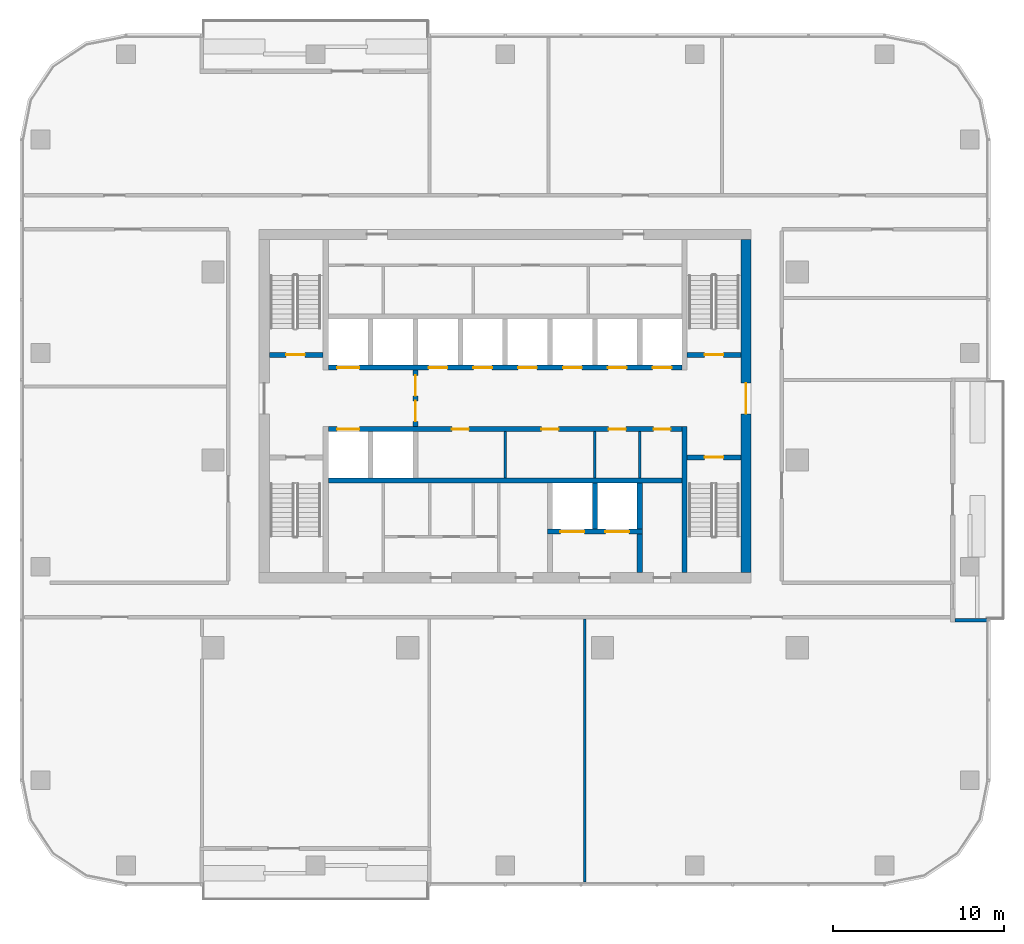
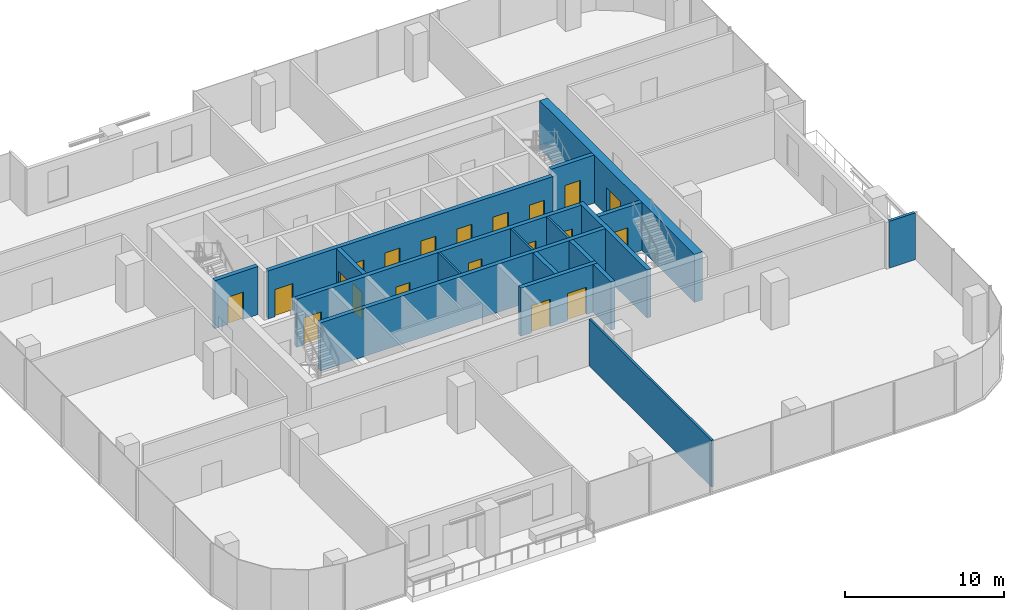
# One storey, part 8 of 14: 20 doors, 18 walls, 20 openings.
"""IFC4 building model written with IfcOpenShell, lengths in metres."""

from ifc_helpers import new_model, si_unit, direction, frame, frame_2d, origin, place, context, subcontext, project, spatial, rectangle, extrude, material, layer, layer_set, type_object, element, fill, save


model = new_model("IFC4")

# Units and contexts
model_context = context("Model", 3, precision=1e-05, world=origin(), true_north=direction((0.0, 1.0)))
body_context = subcontext(model_context, "Body", "Model", "MODEL_VIEW")
ifc_project = project(units=[si_unit("LENGTHUNIT", "METRE"), si_unit("AREAUNIT", "SQUARE_METRE"), si_unit("VOLUMEUNIT", "CUBIC_METRE"), si_unit("PLANEANGLEUNIT", "RADIAN"), si_unit("MASSUNIT", "GRAM", prefix="KILO")], contexts=[model_context])

# Site, building, storey
site_placement = place(None, origin())
site = spatial("IfcSite", under=ifc_project, at=site_placement, CompositionType="ELEMENT")
building_placement = place(site_placement, origin())
building = spatial("IfcBuilding", under=site, at=building_placement, Name="Mopane Tessera Tower", CompositionType="ELEMENT")
storey_placement = place(building_placement, frame((0.0, 0.0, 215.0)))
storey = spatial("IfcBuildingStorey", under=building, at=storey_placement, Name="L45", CompositionType="ELEMENT", Elevation=215.0)

# Walls
ifc_material_1 = material(Name="Fire-rated gypsum board partition")
ifc_layer_1 = layer(ifc_material_1, 0.14990234375)
ifc_layer_set_1 = layer_set([ifc_layer_1], Name="Fire-rated gypsum board partition")
wall_type_1 = type_object("IfcWallType", Name="Core room partition 150 mm", PredefinedType="PARTITIONING", material=ifc_layer_set_1)
for number, where, z_axis, x_axis, name in (
    (1, (0.0, -1.050048828125, 0.0), (0.0, 0.0, 1.0), (0.0, 1.0, 0.0), "L45 Room partition"),
    (2, (5.25, -1.050048828125, 0.0), (0.0, 0.0, 1.0), (0.0, 1.0, 0.0), "L45 Room partition"),
    (3, (7.875, -1.050048828125, 0.0), (0.0, 0.0, 1.0), (0.0, 1.0, 0.0), "L45 Room partition"),
):
    element("IfcWall", number, at=place(storey_placement, frame(where, z_axis=z_axis, x_axis=x_axis)), inside=storey, type_object=wall_type_1, Name=name, PredefinedType="PARTITIONING", context=body_context, shape_type="SweptSolid", body=[
        extrude(rectangle(XDim=2.699951171875, YDim=0.14990234375, at=frame_2d((1.35009765625, 0.0))), origin(), (0.0, 0.0, 1.0), 3.699951171875),
    ])

# Wall, opening, door
ifc_material_2 = material(Name="Concrete C70/85", Category="concrete")
ifc_layer_2 = layer(ifc_material_2, 0.60009765625)
ifc_layer_set_2 = layer_set([ifc_layer_2], Name="Concrete C70/85")
wall_type_2 = type_object("IfcWallType", Name="Core shear wall 600 mm", PredefinedType="SHEAR", material=ifc_layer_set_2)
wall_1_placement = place(storey_placement, frame((14.10009765625, -6.60009765625, 0.0), z_axis=(0.0, 0.0, 1.0), x_axis=(0.0, 1.0, 0.0)))
wall_1 = element("IfcWall", 4, at=wall_1_placement, inside=storey, type_object=wall_type_2, Name="L45 Core wall east", PredefinedType="SHEAR", context=body_context, shape_type="SweptSolid", body=[
    extrude(rectangle(XDim=19.5, YDim=0.60009765625, at=frame_2d((9.75, 0.0))), origin(), (0.0, 0.0, 1.0), 3.699951171875),
])
opening_1_placement = place(wall_1_placement, frame((9.300048828125, 0.0, 0.0)))
opening_1 = element("IfcOpeningElement", 5, at=opening_1_placement, cuts=wall_1, Name="Opening SD2", PredefinedType="OPENING", context=body_context, shape_type="SweptSolid", body=[
    extrude(rectangle(XDim=1.800048828125, YDim=2.10009765625, at=frame_2d((0.89990234375, 1.050048828125))), frame((0.0, 0.31201171875, 0.0), z_axis=(0.0, -1.0, 0.0), x_axis=(1.0, 0.0, 0.0)), (0.0, 0.0, 1.0), 0.6240234375),
])
ifc_material_3 = material(Name="Steel fire door", Category="steel")
door_type_1 = type_object("IfcDoorType", Name="Core entrance double door 1800 x 2100", OperationType="DOUBLE_DOOR_SINGLE_SWING", PredefinedType="DOOR", material=ifc_material_3)
door_1_placement = place(opening_1_placement, origin())
door_1 = element("IfcDoor", 6, at=door_1_placement, inside=storey, type_object=door_type_1, Name="L45 Core entrance door east", OperationType="DOUBLE_DOOR_SINGLE_SWING", OverallHeight=2.10009765625, OverallWidth=1.800048828125, PredefinedType="DOOR", context=body_context, shape_type="SweptSolid", body=[
    extrude(rectangle(XDim=1.800048828125, YDim=2.10009765625, at=frame_2d((0.89990234375, 1.050048828125))), frame((0.0, 0.02490234375, 0.0), z_axis=(0.0, -1.0, 0.0), x_axis=(1.0, 0.0, 0.0)), (0.0, 0.0, 1.0), 0.050048828125),
])
fill(opening_1, door_1)

# Walls
ifc_material_4 = material(Name="Concrete C60/75", Category="concrete")
ifc_layer_3 = layer(ifc_material_4, 0.300048828125)
ifc_layer_set_3 = layer_set([ifc_layer_3], Name="Concrete C60/75")
wall_type_3 = type_object("IfcWallType", Name="Core spine wall 300 mm", PredefinedType="SHEAR", material=ifc_layer_set_3)
wall_2_placement = place(storey_placement, frame((10.5, -6.60009765625, 0.0), z_axis=(0.0, 0.0, 1.0), x_axis=(0.0, 1.0, 0.0)))
element("IfcWall", 7, at=wall_2_placement, inside=storey, type_object=wall_type_3, Name="L45 Core spine wall", PredefinedType="SHEAR", context=body_context, shape_type="SweptSolid", body=[
    extrude(rectangle(XDim=8.550048828125, YDim=0.300048828125, at=frame_2d((4.27490234375, 0.0))), origin(), (0.0, 0.0, 1.0), 3.699951171875),
])
ifc_material_5 = material(Name="Gypsum board on steel studs, mineral wool infill", Category="steel")
ifc_layer_4 = layer(ifc_material_5, 0.14990234375)
ifc_layer_set_4 = layer_set([ifc_layer_4], Name="Gypsum board on steel studs, mineral wool infill")
wall_type_4 = type_object("IfcWallType", Name="Gypsum board partition 150, rated EI 60", PredefinedType="PARTITIONING", material=ifc_layer_set_4)
wall_3_placement = place(storey_placement, frame((4.659912109375, -24.699951171875, 0.0), z_axis=(0.0, 0.0, 1.0), x_axis=(0.0, 1.0, 0.0)))
element("IfcWall", 8, at=wall_3_placement, inside=storey, type_object=wall_type_4, Name="Partition L45:016", PredefinedType="PARTITIONING", context=body_context, shape_type="SweptSolid", body=[
    extrude(rectangle(XDim=15.39990234375, YDim=0.14990234375, at=frame_2d((7.699951171875, 0.0))), origin(), (0.0, 0.0, 1.0), 3.60009765625),
])

# Wall, opening, door
ifc_material_6 = material(Name="Concrete C50/60", Category="concrete")
ifc_layer_5 = layer(ifc_material_6, 0.300048828125)
ifc_layer_set_5 = layer_set([ifc_layer_5], Name="Concrete C50/60")
wall_type_5 = type_object("IfcWallType", Name="Lift and stair shaft wall 300 mm", PredefinedType="SOLIDWALL", material=ifc_layer_set_5)
wall_4_placement = place(storey_placement, frame((-13.800048828125, 6.14990234375, 0.0), z_axis=(0.0, 0.0, 1.0), x_axis=(1.0, 0.0, 0.0)))
wall_4 = element("IfcWall", 9, at=wall_4_placement, inside=storey, type_object=wall_type_5, Name="L45 Stair enclosure wall", PredefinedType="SOLIDWALL", context=body_context, shape_type="SweptSolid", body=[
    extrude(rectangle(XDim=3.150146484375, YDim=0.300048828125, at=frame_2d((1.5751953125, 0.0))), origin(), (0.0, 0.0, 1.0), 3.699951171875),
])
opening_2_placement = place(wall_4_placement, frame((0.97509765625, 0.0, 0.0)))
opening_2 = element("IfcOpeningElement", 10, at=opening_2_placement, cuts=wall_4, Name="Opening SD1", PredefinedType="OPENING", context=body_context, shape_type="SweptSolid", body=[
    extrude(rectangle(XDim=1.10009765625, YDim=2.10009765625, at=frame_2d((0.550048828125, 1.050048828125))), frame((0.0, 0.162109375, 0.0), z_axis=(0.0, -1.0, 0.0), x_axis=(1.0, 0.0, 0.0)), (0.0, 0.0, 1.0), 0.323974609375),
])
ifc_material_7 = material(Name="Steel fire door", Category="steel")
door_type_2 = type_object("IfcDoorType", Name="Stair fire door 1100 x 2100", OperationType="SINGLE_SWING_LEFT", PredefinedType="DOOR", material=ifc_material_7)
door_2_placement = place(opening_2_placement, origin())
door_2 = element("IfcDoor", 11, at=door_2_placement, inside=storey, type_object=door_type_2, Name="L45 Stair door ST2", OperationType="SINGLE_SWING_LEFT", OverallHeight=2.10009765625, OverallWidth=1.10009765625, PredefinedType="DOOR", context=body_context, shape_type="SweptSolid", body=[
    extrude(rectangle(XDim=1.10009765625, YDim=2.10009765625, at=frame_2d((0.550048828125, 1.050048828125))), frame((0.0, 0.02490234375, 0.0), z_axis=(0.0, -1.0, 0.0), x_axis=(1.0, 0.0, 0.0)), (0.0, 0.0, 1.0), 0.050048828125),
])
fill(opening_2, door_2)

wall_5_placement = place(storey_placement, frame((10.64990234375, 0.14990234375, 0.0), z_axis=(0.0, 0.0, 1.0), x_axis=(1.0, 0.0, 0.0)))
wall_5 = element("IfcWall", 12, at=wall_5_placement, inside=storey, type_object=wall_type_5, Name="L45 Stair enclosure wall", PredefinedType="SOLIDWALL", context=body_context, shape_type="SweptSolid", body=[
    extrude(rectangle(XDim=3.150146484375, YDim=0.300048828125, at=frame_2d((1.5751953125, 0.0))), origin(), (0.0, 0.0, 1.0), 3.699951171875),
])
opening_3_placement = place(wall_5_placement, frame((1.02490234375, 0.0, 0.0)))
opening_3 = element("IfcOpeningElement", 13, at=opening_3_placement, cuts=wall_5, Name="Opening SD1", PredefinedType="OPENING", context=body_context, shape_type="SweptSolid", body=[
    extrude(rectangle(XDim=1.10009765625, YDim=2.10009765625, at=frame_2d((0.550048828125, 1.050048828125))), frame((0.0, 0.162109375, 0.0), z_axis=(0.0, -1.0, 0.0), x_axis=(1.0, 0.0, 0.0)), (0.0, 0.0, 1.0), 0.323974609375),
])
door_3_placement = place(opening_3_placement, origin())
door_3 = element("IfcDoor", 14, at=door_3_placement, inside=storey, type_object=door_type_2, Name="L45 Stair door ST3", OperationType="SINGLE_SWING_RIGHT", OverallHeight=2.10009765625, OverallWidth=1.10009765625, PredefinedType="DOOR", context=body_context, shape_type="SweptSolid", body=[
    extrude(rectangle(XDim=1.10009765625, YDim=2.10009765625, at=frame_2d((0.550048828125, 1.050048828125))), frame((0.0, 0.02490234375, 0.0), z_axis=(0.0, -1.0, 0.0), x_axis=(1.0, 0.0, 0.0)), (0.0, 0.0, 1.0), 0.050048828125),
])
fill(opening_3, door_3)

wall_6_placement = place(storey_placement, frame((10.64990234375, 6.14990234375, 0.0), z_axis=(0.0, 0.0, 1.0), x_axis=(1.0, 0.0, 0.0)))
wall_6 = element("IfcWall", 15, at=wall_6_placement, inside=storey, type_object=wall_type_5, Name="L45 Stair enclosure wall", PredefinedType="SOLIDWALL", context=body_context, shape_type="SweptSolid", body=[
    extrude(rectangle(XDim=3.150146484375, YDim=0.300048828125, at=frame_2d((1.5751953125, 0.0))), origin(), (0.0, 0.0, 1.0), 3.699951171875),
])
opening_4_placement = place(wall_6_placement, frame((1.02490234375, 0.0, 0.0)))
opening_4 = element("IfcOpeningElement", 16, at=opening_4_placement, cuts=wall_6, Name="Opening SD1", PredefinedType="OPENING", context=body_context, shape_type="SweptSolid", body=[
    extrude(rectangle(XDim=1.10009765625, YDim=2.10009765625, at=frame_2d((0.550048828125, 1.050048828125))), frame((0.0, 0.162109375, 0.0), z_axis=(0.0, -1.0, 0.0), x_axis=(1.0, 0.0, 0.0)), (0.0, 0.0, 1.0), 0.323974609375),
])
door_4_placement = place(opening_4_placement, origin())
door_4 = element("IfcDoor", 17, at=door_4_placement, inside=storey, type_object=door_type_2, Name="L45 Stair door ST4", OperationType="SINGLE_SWING_RIGHT", OverallHeight=2.10009765625, OverallWidth=1.10009765625, PredefinedType="DOOR", context=body_context, shape_type="SweptSolid", body=[
    extrude(rectangle(XDim=1.10009765625, YDim=2.10009765625, at=frame_2d((0.550048828125, 1.050048828125))), frame((0.0, 0.02490234375, 0.0), z_axis=(0.0, -1.0, 0.0), x_axis=(1.0, 0.0, 0.0)), (0.0, 0.0, 1.0), 0.050048828125),
])
fill(opening_4, door_4)

# Wall
wall_7_placement = place(storey_placement, frame((-10.35009765625, -1.199951171875, 0.0), z_axis=(0.0, 0.0, 1.0), x_axis=(1.0, 0.0, 0.0)))
element("IfcWall", 18, at=wall_7_placement, inside=storey, type_object=wall_type_5, Name="L45 Lift shaft rear wall", PredefinedType="SOLIDWALL", context=body_context, shape_type="SweptSolid", body=[
    extrude(rectangle(XDim=20.7001953125, YDim=0.300048828125, at=frame_2d((10.35009765625, 0.0))), origin(), (0.0, 0.0, 1.0), 3.699951171875),
])

# Wall, openings, doors
wall_8_placement = place(storey_placement, frame((-10.35009765625, 1.800048828125, 0.0), z_axis=(0.0, 0.0, 1.0), x_axis=(1.0, 0.0, 0.0)))
wall_8 = element("IfcWall", 19, at=wall_8_placement, inside=storey, type_object=wall_type_5, Name="L45 Lift shaft front wall", PredefinedType="SOLIDWALL", context=body_context, shape_type="SweptSolid", body=[
    extrude(rectangle(XDim=20.7001953125, YDim=0.300048828125, at=frame_2d((10.35009765625, 0.0))), origin(), (0.0, 0.0, 1.0), 3.699951171875),
])
opening_5_placement = place(wall_8_placement, frame((0.512451171875, 0.0, 0.0)))
opening_5 = element("IfcOpeningElement", 20, at=opening_5_placement, cuts=wall_8, Name="Opening LD2", PredefinedType="OPENING", context=body_context, shape_type="SweptSolid", body=[
    extrude(rectangle(XDim=1.300048828125, YDim=2.10009765625, at=frame_2d((0.64990234375, 1.050048828125))), frame((0.0, 0.162109375, 0.0), z_axis=(0.0, -1.0, 0.0), x_axis=(1.0, 0.0, 0.0)), (0.0, 0.0, 1.0), 0.323974609375),
])
opening_6_placement = place(wall_8_placement, frame((7.22509765625, 0.0, 0.0)))
opening_6 = element("IfcOpeningElement", 21, at=opening_6_placement, cuts=wall_8, Name="Opening RD1", PredefinedType="OPENING", context=body_context, shape_type="SweptSolid", body=[
    extrude(rectangle(XDim=1.0, YDim=2.10009765625, at=frame_2d((0.5, 1.050048828125))), frame((0.0, 0.162109375, 0.0), z_axis=(0.0, -1.0, 0.0), x_axis=(1.0, 0.0, 0.0)), (0.0, 0.0, 1.0), 0.323974609375),
])
opening_7_placement = place(wall_8_placement, frame((12.47509765625, 0.0, 0.0)))
opening_7 = element("IfcOpeningElement", 22, at=opening_7_placement, cuts=wall_8, Name="Opening RD1", PredefinedType="OPENING", context=body_context, shape_type="SweptSolid", body=[
    extrude(rectangle(XDim=1.0, YDim=2.10009765625, at=frame_2d((0.5, 1.050048828125))), frame((0.0, 0.162109375, 0.0), z_axis=(0.0, -1.0, 0.0), x_axis=(1.0, 0.0, 0.0)), (0.0, 0.0, 1.0), 0.323974609375),
])
opening_8_placement = place(wall_8_placement, frame((16.41259765625, 0.0, 0.0)))
opening_8 = element("IfcOpeningElement", 23, at=opening_8_placement, cuts=wall_8, Name="Opening RD1", PredefinedType="OPENING", context=body_context, shape_type="SweptSolid", body=[
    extrude(rectangle(XDim=1.0, YDim=2.10009765625, at=frame_2d((0.5, 1.050048828125))), frame((0.0, 0.162109375, 0.0), z_axis=(0.0, -1.0, 0.0), x_axis=(1.0, 0.0, 0.0)), (0.0, 0.0, 1.0), 0.323974609375),
])
opening_9_placement = place(wall_8_placement, frame((19.03759765625, 0.0, 0.0)))
opening_9 = element("IfcOpeningElement", 24, at=opening_9_placement, cuts=wall_8, Name="Opening RD1", PredefinedType="OPENING", context=body_context, shape_type="SweptSolid", body=[
    extrude(rectangle(XDim=1.0, YDim=2.10009765625, at=frame_2d((0.5, 1.050048828125))), frame((0.0, 0.162109375, 0.0), z_axis=(0.0, -1.0, 0.0), x_axis=(1.0, 0.0, 0.0)), (0.0, 0.0, 1.0), 0.323974609375),
])
ifc_material_8 = material(Name="Timber door", Category="wood")
door_type_3 = type_object("IfcDoorType", Name="Core room door 1000 x 2100", OperationType="SINGLE_SWING_LEFT", PredefinedType="DOOR", material=ifc_material_8)
door_5_placement = place(opening_6_placement, origin())
door_5 = element("IfcDoor", 25, at=door_5_placement, inside=storey, type_object=door_type_3, Name="L45 Room door", OperationType="SINGLE_SWING_LEFT", OverallHeight=2.10009765625, OverallWidth=1.0, PredefinedType="DOOR", context=body_context, shape_type="SweptSolid", body=[
    extrude(rectangle(XDim=1.0, YDim=2.10009765625, at=frame_2d((0.5, 1.050048828125))), frame((0.0, 0.02490234375, 0.0), z_axis=(0.0, -1.0, 0.0), x_axis=(1.0, 0.0, 0.0)), (0.0, 0.0, 1.0), 0.050048828125),
])
fill(opening_6, door_5)
door_6_placement = place(opening_7_placement, origin())
door_6 = element("IfcDoor", 26, at=door_6_placement, inside=storey, type_object=door_type_3, Name="L45 Room door", OperationType="SINGLE_SWING_LEFT", OverallHeight=2.10009765625, OverallWidth=1.0, PredefinedType="DOOR", context=body_context, shape_type="SweptSolid", body=[
    extrude(rectangle(XDim=1.0, YDim=2.10009765625, at=frame_2d((0.5, 1.050048828125))), frame((0.0, 0.02490234375, 0.0), z_axis=(0.0, -1.0, 0.0), x_axis=(1.0, 0.0, 0.0)), (0.0, 0.0, 1.0), 0.050048828125),
])
fill(opening_7, door_6)
door_7_placement = place(opening_8_placement, origin())
door_7 = element("IfcDoor", 27, at=door_7_placement, inside=storey, type_object=door_type_3, Name="L45 Room door", OperationType="SINGLE_SWING_LEFT", OverallHeight=2.10009765625, OverallWidth=1.0, PredefinedType="DOOR", context=body_context, shape_type="SweptSolid", body=[
    extrude(rectangle(XDim=1.0, YDim=2.10009765625, at=frame_2d((0.5, 1.050048828125))), frame((0.0, 0.02490234375, 0.0), z_axis=(0.0, -1.0, 0.0), x_axis=(1.0, 0.0, 0.0)), (0.0, 0.0, 1.0), 0.050048828125),
])
fill(opening_8, door_7)
door_8_placement = place(opening_9_placement, origin())
door_8 = element("IfcDoor", 28, at=door_8_placement, inside=storey, type_object=door_type_3, Name="L45 Room door", OperationType="SINGLE_SWING_LEFT", OverallHeight=2.10009765625, OverallWidth=1.0, PredefinedType="DOOR", context=body_context, shape_type="SweptSolid", body=[
    extrude(rectangle(XDim=1.0, YDim=2.10009765625, at=frame_2d((0.5, 1.050048828125))), frame((0.0, 0.02490234375, 0.0), z_axis=(0.0, -1.0, 0.0), x_axis=(1.0, 0.0, 0.0)), (0.0, 0.0, 1.0), 0.050048828125),
])
fill(opening_9, door_8)
ifc_material_9 = material(Name="Stainless steel sliding door", Category="steel")
door_type_4 = type_object("IfcDoorType", Name="Fire-fighting lift landing door 1300 x 2100", OperationType="DOUBLE_DOOR_SLIDING", PredefinedType="DOOR", material=ifc_material_9)
door_9_placement = place(opening_5_placement, origin())
door_9 = element("IfcDoor", 29, at=door_9_placement, inside=storey, type_object=door_type_4, Name="L45 Lift landing door FF1", OperationType="DOUBLE_DOOR_SLIDING", OverallHeight=2.10009765625, OverallWidth=1.300048828125, PredefinedType="DOOR", context=body_context, shape_type="SweptSolid", body=[
    extrude(rectangle(XDim=1.300048828125, YDim=2.10009765625, at=frame_2d((0.64990234375, 1.050048828125))), frame((0.0, 0.02490234375, 0.0), z_axis=(0.0, -1.0, 0.0), x_axis=(1.0, 0.0, 0.0)), (0.0, 0.0, 1.0), 0.050048828125),
])
fill(opening_5, door_9)

wall_9_placement = place(storey_placement, frame((-10.35009765625, 5.39990234375, 0.0), z_axis=(0.0, 0.0, 1.0), x_axis=(1.0, 0.0, 0.0)))
wall_9 = element("IfcWall", 30, at=wall_9_placement, inside=storey, type_object=wall_type_5, Name="L45 Lift shaft front wall", PredefinedType="SOLIDWALL", context=body_context, shape_type="SweptSolid", body=[
    extrude(rectangle(XDim=20.7001953125, YDim=0.300048828125, at=frame_2d((10.35009765625, 0.0))), origin(), (0.0, 0.0, 1.0), 3.699951171875),
])
opening_10_placement = place(wall_9_placement, frame((0.512451171875, 0.0, 0.0)))
opening_10 = element("IfcOpeningElement", 31, at=opening_10_placement, cuts=wall_9, Name="Opening LD2", PredefinedType="OPENING", context=body_context, shape_type="SweptSolid", body=[
    extrude(rectangle(XDim=1.300048828125, YDim=2.10009765625, at=frame_2d((0.64990234375, 1.050048828125))), frame((0.0, 0.162109375, 0.0), z_axis=(0.0, -1.0, 0.0), x_axis=(1.0, 0.0, 0.0)), (0.0, 0.0, 1.0), 0.323974609375),
])
opening_11_placement = place(wall_9_placement, frame((5.862548828125, 0.0, 0.0)))
opening_11 = element("IfcOpeningElement", 32, at=opening_11_placement, cuts=wall_9, Name="Opening LD", PredefinedType="OPENING", context=body_context, shape_type="SweptSolid", body=[
    extrude(rectangle(XDim=1.10009765625, YDim=2.10009765625, at=frame_2d((0.550048828125, 1.050048828125))), frame((0.0, 0.162109375, 0.0), z_axis=(0.0, -1.0, 0.0), x_axis=(1.0, 0.0, 0.0)), (0.0, 0.0, 1.0), 0.323974609375),
])
opening_12_placement = place(wall_9_placement, frame((8.487548828125, 0.0, 0.0)))
opening_12 = element("IfcOpeningElement", 33, at=opening_12_placement, cuts=wall_9, Name="Opening LD", PredefinedType="OPENING", context=body_context, shape_type="SweptSolid", body=[
    extrude(rectangle(XDim=1.10009765625, YDim=2.10009765625, at=frame_2d((0.550048828125, 1.050048828125))), frame((0.0, 0.162109375, 0.0), z_axis=(0.0, -1.0, 0.0), x_axis=(1.0, 0.0, 0.0)), (0.0, 0.0, 1.0), 0.323974609375),
])
opening_13_placement = place(wall_9_placement, frame((11.112548828125, 0.0, 0.0)))
opening_13 = element("IfcOpeningElement", 34, at=opening_13_placement, cuts=wall_9, Name="Opening LD", PredefinedType="OPENING", context=body_context, shape_type="SweptSolid", body=[
    extrude(rectangle(XDim=1.10009765625, YDim=2.10009765625, at=frame_2d((0.550048828125, 1.050048828125))), frame((0.0, 0.162109375, 0.0), z_axis=(0.0, -1.0, 0.0), x_axis=(1.0, 0.0, 0.0)), (0.0, 0.0, 1.0), 0.323974609375),
])
opening_14_placement = place(wall_9_placement, frame((13.737548828125, 0.0, 0.0)))
opening_14 = element("IfcOpeningElement", 35, at=opening_14_placement, cuts=wall_9, Name="Opening LD", PredefinedType="OPENING", context=body_context, shape_type="SweptSolid", body=[
    extrude(rectangle(XDim=1.10009765625, YDim=2.10009765625, at=frame_2d((0.550048828125, 1.050048828125))), frame((0.0, 0.162109375, 0.0), z_axis=(0.0, -1.0, 0.0), x_axis=(1.0, 0.0, 0.0)), (0.0, 0.0, 1.0), 0.323974609375),
])
opening_15_placement = place(wall_9_placement, frame((16.362548828125, 0.0, 0.0)))
opening_15 = element("IfcOpeningElement", 36, at=opening_15_placement, cuts=wall_9, Name="Opening LD", PredefinedType="OPENING", context=body_context, shape_type="SweptSolid", body=[
    extrude(rectangle(XDim=1.10009765625, YDim=2.10009765625, at=frame_2d((0.550048828125, 1.050048828125))), frame((0.0, 0.162109375, 0.0), z_axis=(0.0, -1.0, 0.0), x_axis=(1.0, 0.0, 0.0)), (0.0, 0.0, 1.0), 0.323974609375),
])
opening_16_placement = place(wall_9_placement, frame((18.987548828125, 0.0, 0.0)))
opening_16 = element("IfcOpeningElement", 37, at=opening_16_placement, cuts=wall_9, Name="Opening LD", PredefinedType="OPENING", context=body_context, shape_type="SweptSolid", body=[
    extrude(rectangle(XDim=1.10009765625, YDim=2.10009765625, at=frame_2d((0.550048828125, 1.050048828125))), frame((0.0, 0.162109375, 0.0), z_axis=(0.0, -1.0, 0.0), x_axis=(1.0, 0.0, 0.0)), (0.0, 0.0, 1.0), 0.323974609375),
])
door_10_placement = place(opening_10_placement, origin())
door_10 = element("IfcDoor", 38, at=door_10_placement, inside=storey, type_object=door_type_4, Name="L45 Lift landing door FF2", OperationType="DOUBLE_DOOR_SLIDING", OverallHeight=2.10009765625, OverallWidth=1.300048828125, PredefinedType="DOOR", context=body_context, shape_type="SweptSolid", body=[
    extrude(rectangle(XDim=1.300048828125, YDim=2.10009765625, at=frame_2d((0.64990234375, 1.050048828125))), frame((0.0, 0.02490234375, 0.0), z_axis=(0.0, -1.0, 0.0), x_axis=(1.0, 0.0, 0.0)), (0.0, 0.0, 1.0), 0.050048828125),
])
fill(opening_10, door_10)
ifc_material_10 = material(Name="Stainless steel sliding door", Category="steel")
door_type_5 = type_object("IfcDoorType", Name="Lift landing door 1100 x 2100", OperationType="DOUBLE_DOOR_SLIDING", PredefinedType="DOOR", material=ifc_material_10)
door_11_placement = place(opening_11_placement, origin())
door_11 = element("IfcDoor", 39, at=door_11_placement, inside=storey, type_object=door_type_5, Name="L45 Lift landing door HR1", OperationType="DOUBLE_DOOR_SLIDING", OverallHeight=2.10009765625, OverallWidth=1.10009765625, PredefinedType="DOOR", context=body_context, shape_type="SweptSolid", body=[
    extrude(rectangle(XDim=1.10009765625, YDim=2.10009765625, at=frame_2d((0.550048828125, 1.050048828125))), frame((0.0, 0.02490234375, 0.0), z_axis=(0.0, -1.0, 0.0), x_axis=(1.0, 0.0, 0.0)), (0.0, 0.0, 1.0), 0.050048828125),
])
fill(opening_11, door_11)
door_12_placement = place(opening_12_placement, origin())
door_12 = element("IfcDoor", 40, at=door_12_placement, inside=storey, type_object=door_type_5, Name="L45 Lift landing door HR2", OperationType="DOUBLE_DOOR_SLIDING", OverallHeight=2.10009765625, OverallWidth=1.10009765625, PredefinedType="DOOR", context=body_context, shape_type="SweptSolid", body=[
    extrude(rectangle(XDim=1.10009765625, YDim=2.10009765625, at=frame_2d((0.550048828125, 1.050048828125))), frame((0.0, 0.02490234375, 0.0), z_axis=(0.0, -1.0, 0.0), x_axis=(1.0, 0.0, 0.0)), (0.0, 0.0, 1.0), 0.050048828125),
])
fill(opening_12, door_12)
door_13_placement = place(opening_13_placement, origin())
door_13 = element("IfcDoor", 41, at=door_13_placement, inside=storey, type_object=door_type_5, Name="L45 Lift landing door HR3", OperationType="DOUBLE_DOOR_SLIDING", OverallHeight=2.10009765625, OverallWidth=1.10009765625, PredefinedType="DOOR", context=body_context, shape_type="SweptSolid", body=[
    extrude(rectangle(XDim=1.10009765625, YDim=2.10009765625, at=frame_2d((0.550048828125, 1.050048828125))), frame((0.0, 0.02490234375, 0.0), z_axis=(0.0, -1.0, 0.0), x_axis=(1.0, 0.0, 0.0)), (0.0, 0.0, 1.0), 0.050048828125),
])
fill(opening_13, door_13)
door_14_placement = place(opening_14_placement, origin())
door_14 = element("IfcDoor", 42, at=door_14_placement, inside=storey, type_object=door_type_5, Name="L45 Lift landing door HR4", OperationType="DOUBLE_DOOR_SLIDING", OverallHeight=2.10009765625, OverallWidth=1.10009765625, PredefinedType="DOOR", context=body_context, shape_type="SweptSolid", body=[
    extrude(rectangle(XDim=1.10009765625, YDim=2.10009765625, at=frame_2d((0.550048828125, 1.050048828125))), frame((0.0, 0.02490234375, 0.0), z_axis=(0.0, -1.0, 0.0), x_axis=(1.0, 0.0, 0.0)), (0.0, 0.0, 1.0), 0.050048828125),
])
fill(opening_14, door_14)
door_15_placement = place(opening_15_placement, origin())
door_15 = element("IfcDoor", 43, at=door_15_placement, inside=storey, type_object=door_type_5, Name="L45 Lift landing door HR5", OperationType="DOUBLE_DOOR_SLIDING", OverallHeight=2.10009765625, OverallWidth=1.10009765625, PredefinedType="DOOR", context=body_context, shape_type="SweptSolid", body=[
    extrude(rectangle(XDim=1.10009765625, YDim=2.10009765625, at=frame_2d((0.550048828125, 1.050048828125))), frame((0.0, 0.02490234375, 0.0), z_axis=(0.0, -1.0, 0.0), x_axis=(1.0, 0.0, 0.0)), (0.0, 0.0, 1.0), 0.050048828125),
])
fill(opening_15, door_15)
door_16_placement = place(opening_16_placement, origin())
door_16 = element("IfcDoor", 44, at=door_16_placement, inside=storey, type_object=door_type_5, Name="L45 Lift landing door HR6", OperationType="DOUBLE_DOOR_SLIDING", OverallHeight=2.10009765625, OverallWidth=1.10009765625, PredefinedType="DOOR", context=body_context, shape_type="SweptSolid", body=[
    extrude(rectangle(XDim=1.10009765625, YDim=2.10009765625, at=frame_2d((0.550048828125, 1.050048828125))), frame((0.0, 0.02490234375, 0.0), z_axis=(0.0, -1.0, 0.0), x_axis=(1.0, 0.0, 0.0)), (0.0, 0.0, 1.0), 0.050048828125),
])
fill(opening_16, door_16)

wall_10_placement = place(storey_placement, frame((2.47509765625, -4.199951171875, 0.0), z_axis=(0.0, 0.0, 1.0), x_axis=(1.0, 0.0, 0.0)))
wall_10 = element("IfcWall", 45, at=wall_10_placement, inside=storey, type_object=wall_type_5, Name="L45 Lift shaft front wall", PredefinedType="SOLIDWALL", context=body_context, shape_type="SweptSolid", body=[
    extrude(rectangle(XDim=5.5498046875, YDim=0.300048828125, at=frame_2d((2.77490234375, 0.0))), origin(), (0.0, 0.0, 1.0), 3.699951171875),
])
opening_17_placement = place(wall_10_placement, frame((0.762451171875, 0.0, 0.0)))
opening_17 = element("IfcOpeningElement", 46, at=opening_17_placement, cuts=wall_10, Name="Opening LD3", PredefinedType="OPENING", context=body_context, shape_type="SweptSolid", body=[
    extrude(rectangle(XDim=1.39990234375, YDim=2.10009765625, at=frame_2d((0.699951171875, 1.050048828125))), frame((0.0, 0.162109375, 0.0), z_axis=(0.0, -1.0, 0.0), x_axis=(1.0, 0.0, 0.0)), (0.0, 0.0, 1.0), 0.323974609375),
])
opening_18_placement = place(wall_10_placement, frame((3.387451171875, 0.0, 0.0)))
opening_18 = element("IfcOpeningElement", 47, at=opening_18_placement, cuts=wall_10, Name="Opening LD3", PredefinedType="OPENING", context=body_context, shape_type="SweptSolid", body=[
    extrude(rectangle(XDim=1.39990234375, YDim=2.10009765625, at=frame_2d((0.699951171875, 1.050048828125))), frame((0.0, 0.162109375, 0.0), z_axis=(0.0, -1.0, 0.0), x_axis=(1.0, 0.0, 0.0)), (0.0, 0.0, 1.0), 0.323974609375),
])
ifc_material_11 = material(Name="Stainless steel sliding door", Category="steel")
door_type_6 = type_object("IfcDoorType", Name="Service lift landing door 1400 x 2100", OperationType="DOUBLE_DOOR_SLIDING", PredefinedType="DOOR", material=ifc_material_11)
door_17_placement = place(opening_17_placement, origin())
door_17 = element("IfcDoor", 48, at=door_17_placement, inside=storey, type_object=door_type_6, Name="L45 Lift landing door SV1", OperationType="DOUBLE_DOOR_SLIDING", OverallHeight=2.10009765625, OverallWidth=1.39990234375, PredefinedType="DOOR", context=body_context, shape_type="SweptSolid", body=[
    extrude(rectangle(XDim=1.39990234375, YDim=2.10009765625, at=frame_2d((0.699951171875, 1.050048828125))), frame((0.0, 0.02490234375, 0.0), z_axis=(0.0, -1.0, 0.0), x_axis=(1.0, 0.0, 0.0)), (0.0, 0.0, 1.0), 0.050048828125),
])
fill(opening_17, door_17)
door_18_placement = place(opening_18_placement, origin())
door_18 = element("IfcDoor", 49, at=door_18_placement, inside=storey, type_object=door_type_6, Name="L45 Lift landing door SV2", OperationType="DOUBLE_DOOR_SLIDING", OverallHeight=2.10009765625, OverallWidth=1.39990234375, PredefinedType="DOOR", context=body_context, shape_type="SweptSolid", body=[
    extrude(rectangle(XDim=1.39990234375, YDim=2.10009765625, at=frame_2d((0.699951171875, 1.050048828125))), frame((0.0, 0.02490234375, 0.0), z_axis=(0.0, -1.0, 0.0), x_axis=(1.0, 0.0, 0.0)), (0.0, 0.0, 1.0), 0.050048828125),
])
fill(opening_18, door_18)

# Walls
for number, where, z_axis, x_axis, name in (
    (50, (5.25, -4.050048828125, 0.0), (0.0, 0.0, 1.0), (0.0, 1.0, 0.0), "L45 Lift shaft wall"),
    (51, (7.875, -4.050048828125, 0.0), (0.0, 0.0, 1.0), (0.0, 1.0, 0.0), "L45 Lift shaft wall"),
):
    element("IfcWall", number, at=place(storey_placement, frame(where, z_axis=z_axis, x_axis=x_axis)), inside=storey, type_object=wall_type_5, Name=name, PredefinedType="SOLIDWALL", context=body_context, shape_type="SweptSolid", body=[
        extrude(rectangle(XDim=2.699951171875, YDim=0.300048828125, at=frame_2d((1.35009765625, 0.0))), origin(), (0.0, 0.0, 1.0), 3.699951171875),
    ])

# Wall, openings, doors
ifc_material_12 = material(Name="Concrete C50/60", Category="concrete")
ifc_layer_6 = layer(ifc_material_12, 0.300048828125)
ifc_layer_set_6 = layer_set([ifc_layer_6], Name="Concrete C50/60")
wall_type_6 = type_object("IfcWallType", Name="Lobby and refuge room wall 300 mm", PredefinedType="SOLIDWALL", material=ifc_layer_set_6)
wall_11_placement = place(storey_placement, frame((-5.25, 1.949951171875, 0.0), z_axis=(0.0, 0.0, 1.0), x_axis=(0.0, 1.0, 0.0)))
wall_11 = element("IfcWall", 52, at=wall_11_placement, inside=storey, type_object=wall_type_6, Name="L45 Fire-fighting lobby wall", PredefinedType="SOLIDWALL", context=body_context, shape_type="SweptSolid", body=[
    extrude(rectangle(XDim=3.300048828125, YDim=0.300048828125, at=frame_2d((1.64990234375, 0.0))), origin(), (0.0, 0.0, 1.0), 3.699951171875),
])
opening_19_placement = place(wall_11_placement, frame((0.300048828125, 0.0, 0.0)))
opening_19 = element("IfcOpeningElement", 53, at=opening_19_placement, cuts=wall_11, Name="Opening SD3", PredefinedType="OPENING", context=body_context, shape_type="SweptSolid", body=[
    extrude(rectangle(XDim=1.199951171875, YDim=2.10009765625, at=frame_2d((0.60009765625, 1.050048828125))), frame((0.0, 0.162109375, 0.0), z_axis=(0.0, -1.0, 0.0), x_axis=(1.0, 0.0, 0.0)), (0.0, 0.0, 1.0), 0.323974609375),
])
opening_20_placement = place(wall_11_placement, frame((1.800048828125, 0.0, 0.0)))
opening_20 = element("IfcOpeningElement", 54, at=opening_20_placement, cuts=wall_11, Name="Opening SD3", PredefinedType="OPENING", context=body_context, shape_type="SweptSolid", body=[
    extrude(rectangle(XDim=1.199951171875, YDim=2.10009765625, at=frame_2d((0.60009765625, 1.050048828125))), frame((0.0, 0.162109375, 0.0), z_axis=(0.0, -1.0, 0.0), x_axis=(1.0, 0.0, 0.0)), (0.0, 0.0, 1.0), 0.323974609375),
])
ifc_material_13 = material(Name="Steel fire door", Category="steel")
door_type_7 = type_object("IfcDoorType", Name="Lobby fire door 1200 x 2100", OperationType="SINGLE_SWING_LEFT", PredefinedType="DOOR", material=ifc_material_13)
door_19_placement = place(opening_19_placement, origin())
door_19 = element("IfcDoor", 55, at=door_19_placement, inside=storey, type_object=door_type_7, Name="L45 Fire-fighting lobby door", OperationType="SINGLE_SWING_LEFT", OverallHeight=2.10009765625, OverallWidth=1.199951171875, PredefinedType="DOOR", context=body_context, shape_type="SweptSolid", body=[
    extrude(rectangle(XDim=1.199951171875, YDim=2.10009765625, at=frame_2d((0.60009765625, 1.050048828125))), frame((0.0, 0.02490234375, 0.0), z_axis=(0.0, -1.0, 0.0), x_axis=(1.0, 0.0, 0.0)), (0.0, 0.0, 1.0), 0.050048828125),
])
fill(opening_19, door_19)
door_20_placement = place(opening_20_placement, origin())
door_20 = element("IfcDoor", 56, at=door_20_placement, inside=storey, type_object=door_type_7, Name="L45 Fire-fighting lobby door", OperationType="SINGLE_SWING_RIGHT", OverallHeight=2.10009765625, OverallWidth=1.199951171875, PredefinedType="DOOR", context=body_context, shape_type="SweptSolid", body=[
    extrude(rectangle(XDim=1.199951171875, YDim=2.10009765625, at=frame_2d((0.60009765625, 1.050048828125))), frame((0.0, 0.02490234375, 0.0), z_axis=(0.0, -1.0, 0.0), x_axis=(1.0, 0.0, 0.0)), (0.0, 0.0, 1.0), 0.050048828125),
])
fill(opening_20, door_20)

# Walls
wall_12_placement = place(storey_placement, frame((7.875, -6.60009765625, 0.0), z_axis=(0.0, 0.0, 1.0), x_axis=(0.0, 1.0, 0.0)))
element("IfcWall", 57, at=wall_12_placement, inside=storey, type_object=wall_type_6, Name="L45 Service lobby wall", PredefinedType="SOLIDWALL", context=body_context, shape_type="SweptSolid", body=[
    extrude(rectangle(XDim=2.25, YDim=0.300048828125, at=frame_2d((1.125, 0.0))), origin(), (0.0, 0.0, 1.0), 3.699951171875),
])
ifc_material_14 = material(Name="Blockwork with glazed tile facing", Category="masonry")
ifc_layer_7 = layer(ifc_material_14, 0.199951171875)
ifc_layer_set_7 = layer_set([ifc_layer_7], Name="Blockwork with glazed tile facing")
wall_type_7 = type_object("IfcWallType", Name="Terrace cheek wall 200", PredefinedType="STANDARD", material=ifc_layer_set_7)
wall_13_placement = place(storey_placement, frame((28.199951171875, -9.375, 0.0), z_axis=(0.0, 0.0, 1.0), x_axis=(-1.0, 0.0, 0.0)))
element("IfcWall", 58, at=wall_13_placement, inside=storey, type_object=wall_type_7, Name="e:nw:L45:N2:cheeka", PredefinedType="STANDARD", context=body_context, shape_type="SweptSolid", body=[
    extrude(rectangle(XDim=1.875, YDim=0.199951171875, at=frame_2d((0.9375, 0.0))), origin(), (0.0, 0.0, 1.0), 3.60009765625),
])

save(model, "model.ifc")
